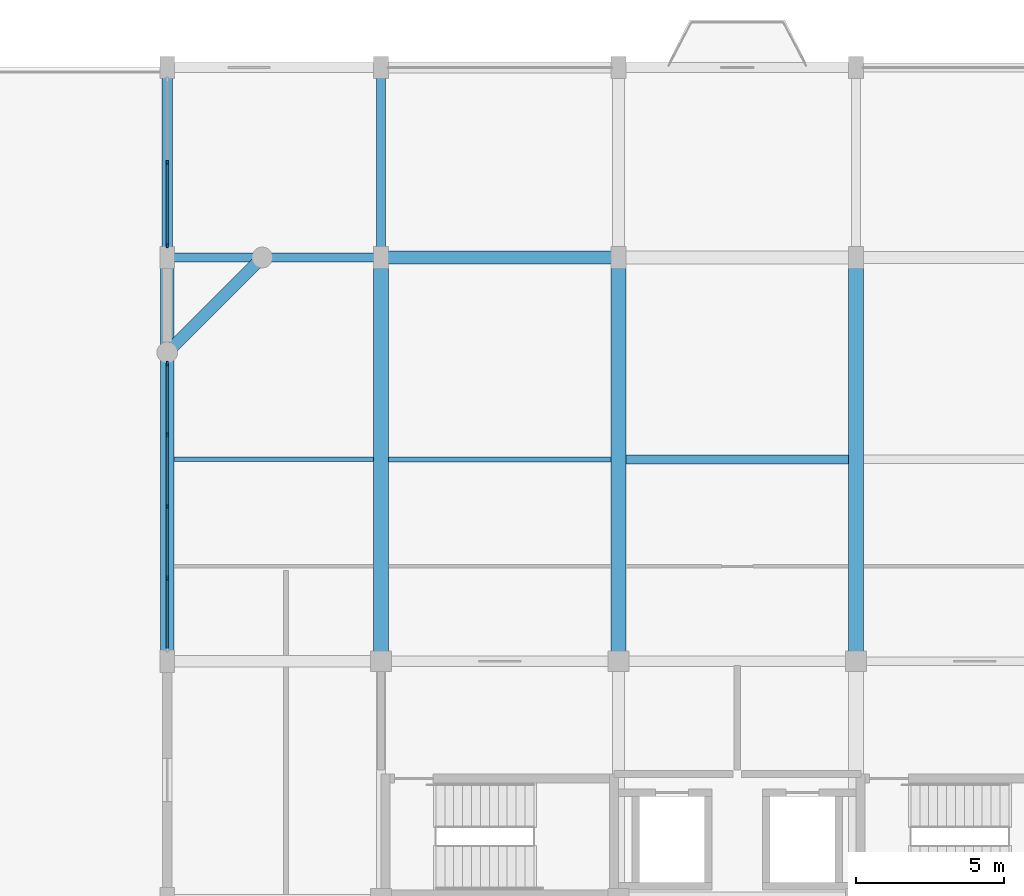
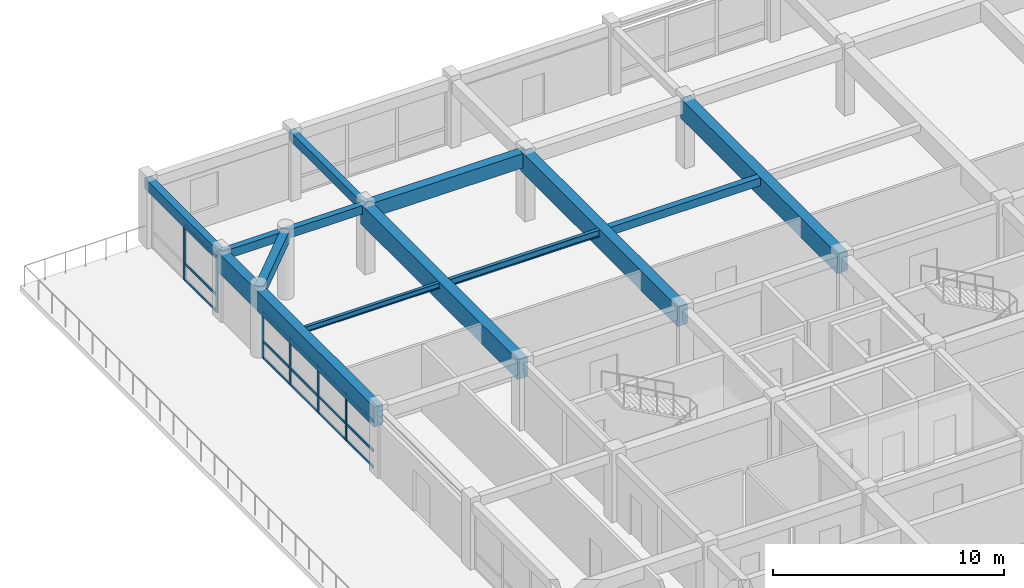
# One storey, part 5 of 13: 21 members, 12 beams, 2 elements without a shape of their own.
"""IFC4 building model written with IfcOpenShell, lengths in metres."""

from ifc_helpers import new_model, si_unit, direction, frame, origin, origin_2d, place, context, subcontext, project, spatial, rectangle, i_section, extrude, material, material_profile, profile_set, type_object, element, aggregate, save


model = new_model("IFC4")

# Units and contexts
model_context = context("Model", 3, precision=1e-05, world=origin(), true_north=direction((0.0, 1.0)))
body_context = subcontext(model_context, "Body", "Model", "MODEL_VIEW")
ifc_project = project(units=[si_unit("LENGTHUNIT", "METRE"), si_unit("AREAUNIT", "SQUARE_METRE"), si_unit("VOLUMEUNIT", "CUBIC_METRE"), si_unit("PLANEANGLEUNIT", "RADIAN"), si_unit("MASSUNIT", "GRAM", prefix="KILO")], contexts=[model_context])

# Site, building, storey
site_placement = place(None, origin())
site = spatial("IfcSite", under=ifc_project, at=site_placement, CompositionType="ELEMENT")
building_placement = place(site_placement, origin())
building = spatial("IfcBuilding", under=site, at=building_placement, Name="Vellmiral Cinema and Media Centre", CompositionType="ELEMENT")
storey_placement = place(building_placement, frame((0.0, 0.0, 39.5)))
storey = spatial("IfcBuildingStorey", under=building, at=storey_placement, Name="L09", CompositionType="ELEMENT", Elevation=39.5)

# Beams
ifc_material_1 = material(Name="Concrete C40/50", Category="concrete")
ifc_material_profile_1 = material_profile(ifc_material_1, rectangle(XDim=0.300048828125, YDim=0.449951171875, at=origin_2d()), Name="RC 300x450")
ifc_profile_set_1 = profile_set([ifc_material_profile_1], Name="Concrete C40/50")
beam_type_1 = type_object("IfcBeamType", Name="BM-RC-300x450", PredefinedType="BEAM", material=ifc_profile_set_1)
beam_1_placement = place(storey_placement, frame((116.800048828125, 108.800048828125, 3.31005859375), z_axis=(1.0, 0.0, 0.0), x_axis=(0.0, 1.0, 0.0)))
element("IfcBeam", 1, at=beam_1_placement, inside=storey, type_object=beam_type_1, Name="Grid Beam L09-X031", PredefinedType="BEAM", context=body_context, shape_type="SweptSolid", body=[
    extrude(rectangle(XDim=0.300048828125, YDim=0.449951171875, at=origin_2d()), origin(), (0.0, 0.0, 1.0), 7.199951171875),
])
ifc_material_2 = material(Name="Concrete C40/50", Category="concrete")
ifc_material_profile_2 = material_profile(ifc_material_2, rectangle(XDim=0.300048828125, YDim=0.5, at=origin_2d()), Name="RC 300x500")
ifc_profile_set_2 = profile_set([ifc_material_profile_2], Name="Concrete C40/50")
beam_type_2 = type_object("IfcBeamType", Name="BM-RC-300x500", PredefinedType="BEAM", material=ifc_profile_set_2)
beam_2_placement = place(storey_placement, frame((124.0, 108.800048828125, 3.284912109375), z_axis=(0.0, 1.0, 0.0), x_axis=(-1.0, 0.0, 0.0)))
element("IfcBeam", 2, at=beam_2_placement, inside=storey, type_object=beam_type_2, Name="Grid Beam L09-Y053", PredefinedType="BEAM", context=body_context, shape_type="SweptSolid", body=[
    extrude(rectangle(XDim=0.300048828125, YDim=0.5, at=origin_2d()), origin(), (0.0, 0.0, 1.0), 6.39990234375),
])
ifc_material_3 = material(Name="Concrete C40/50", Category="concrete")
ifc_material_profile_3 = material_profile(ifc_material_3, rectangle(XDim=0.449951171875, YDim=0.75, at=origin_2d()), Name="RC 450x750")
ifc_profile_set_3 = profile_set([ifc_material_profile_3], Name="Concrete C40/50")
beam_type_3 = type_object("IfcBeamType", Name="BM-RC-450x750", PredefinedType="BEAM", material=ifc_profile_set_3)
beam_3_placement = place(storey_placement, frame((124.0, 108.800048828125, 3.159912109375), z_axis=(1.0, 0.0, 0.0), x_axis=(0.0, 1.0, 0.0)))
element("IfcBeam", 3, at=beam_3_placement, inside=storey, type_object=beam_type_3, Name="Grid Beam L09-X032", PredefinedType="BEAM", context=body_context, shape_type="SweptSolid", body=[
    extrude(rectangle(XDim=0.449951171875, YDim=0.75, at=origin_2d()), origin(), (0.0, 0.0, 1.0), 8.0),
])
ifc_material_4 = material(Name="Concrete C40/50", Category="concrete")
ifc_material_profile_4 = material_profile(ifc_material_4, rectangle(XDim=0.5, YDim=1.050048828125, at=origin_2d()), Name="RC 500x1050")
ifc_profile_set_4 = profile_set([ifc_material_profile_4], Name="Concrete C40/50")
beam_type_4 = type_object("IfcBeamType", Name="BM-RCG-500x1050", PredefinedType="BEAM", material=ifc_profile_set_4)
for number, where, z_axis, x_axis, name in (
    (4, (124.0, 95.199951171875, 3.010009765625), (0.0, 1.0, 0.0), (-1.0, 0.0, 0.0), "Grid Beam L09-Y052"),
    (5, (132.0, 95.199951171875, 3.010009765625), (0.0, 1.0, 0.0), (-1.0, 0.0, 0.0), "Grid Beam L09-Y058"),
    (6, (140.0, 95.199951171875, 3.010009765625), (0.0, 1.0, 0.0), (-1.0, 0.0, 0.0), "Grid Beam L09-Y064"),
):
    element("IfcBeam", number, at=place(storey_placement, frame(where, z_axis=z_axis, x_axis=x_axis)), inside=storey, type_object=beam_type_4, Name=name, PredefinedType="BEAM", context=body_context, shape_type="SweptSolid", body=[
        extrude(rectangle(XDim=0.5, YDim=1.050048828125, at=origin_2d()), origin(), (0.0, 0.0, 1.0), 13.60009765625),
    ])

# Curtain wall, members
ifc_material_5 = material(Name="Thermally Broken Aluminium and Triple Glazing", Category="aluminium")
curtain_wall_type = type_object("IfcCurtainWallType", Name="CW-TOWER-MID-W", PredefinedType="USERDEFINED", material=ifc_material_5)
curtain_wall_1_placement = place(storey_placement, origin())
curtain_wall_1 = element("IfcCurtainWall", 7, at=curtain_wall_1_placement, inside=storey, type_object=curtain_wall_type, Name="Curtain Wall L09-B022", ObjectType="UNITISED CURTAIN WALL", PredefinedType="USERDEFINED")
ifc_material_6 = material(Name="Thermally Broken Anodised Aluminium", Category="aluminium")
ifc_material_profile_5 = material_profile(ifc_material_6, rectangle(XDim=0.06494140625, YDim=0.159912109375, at=origin_2d()), Name="MULL 65x160")
ifc_profile_set_5 = profile_set([ifc_material_profile_5], Name="Thermally Broken Anodised Aluminium")
member_type_1 = type_object("IfcMemberType", Name="CWM-65x160", PredefinedType="MULLION", material=ifc_profile_set_5)
member_1_placement = place(storey_placement, frame((116.800048828125, 112.0, 0.0), z_axis=(0.0, 0.0, 1.0), x_axis=(1.0, 0.0, 0.0)))
member_1 = element("IfcMember", 8, at=member_1_placement, type_object=member_type_1, Name="CW-08 mullion 2", PredefinedType="MULLION", context=body_context, shape_type="SweptSolid", body=[
    extrude(rectangle(XDim=0.06494140625, YDim=0.159912109375, at=origin_2d()), origin(), (0.0, 0.0, 1.0), 2.93994140625),
])
member_2_placement = place(storey_placement, frame((116.800048828125, 109.20751953125, 0.0), z_axis=(0.0, 0.0, 1.0), x_axis=(1.0, 0.0, 0.0)))
member_2 = element("IfcMember", 9, at=member_2_placement, type_object=member_type_1, Name="CW-08 mullion 3", PredefinedType="MULLION", context=body_context, shape_type="SweptSolid", body=[
    extrude(rectangle(XDim=0.06494140625, YDim=0.159912109375, at=origin_2d()), origin(), (0.0, 0.0, 1.0), 2.93994140625),
])

curtain_wall_2_placement = place(storey_placement, origin())
curtain_wall_2 = element("IfcCurtainWall", 10, at=curtain_wall_2_placement, inside=storey, type_object=curtain_wall_type, Name="Curtain Wall L09-B024", ObjectType="UNITISED CURTAIN WALL", PredefinedType="USERDEFINED")
member_3_placement = place(storey_placement, frame((116.800048828125, 105.217529296875, 0.0), z_axis=(0.0, 0.0, 1.0), x_axis=(1.0, 0.0, 0.0)))
member_3 = element("IfcMember", 11, at=member_3_placement, type_object=member_type_1, Name="CW-08 mullion 1", PredefinedType="MULLION", context=body_context, shape_type="SweptSolid", body=[
    extrude(rectangle(XDim=0.06494140625, YDim=0.159912109375, at=origin_2d()), origin(), (0.0, 0.0, 1.0), 2.47509765625),
])
member_4_placement = place(storey_placement, frame((116.800048828125, 102.831298828125, 0.0), z_axis=(0.0, 0.0, 1.0), x_axis=(1.0, 0.0, 0.0)))
member_4 = element("IfcMember", 12, at=member_4_placement, type_object=member_type_1, Name="CW-08 mullion 2", PredefinedType="MULLION", context=body_context, shape_type="SweptSolid", body=[
    extrude(rectangle(XDim=0.06494140625, YDim=0.159912109375, at=origin_2d()), origin(), (0.0, 0.0, 1.0), 2.47509765625),
])
member_5_placement = place(storey_placement, frame((116.800048828125, 100.41259765625, 0.0), z_axis=(0.0, 0.0, 1.0), x_axis=(1.0, 0.0, 0.0)))
member_5 = element("IfcMember", 13, at=member_5_placement, type_object=member_type_1, Name="CW-08 mullion 3", PredefinedType="MULLION", context=body_context, shape_type="SweptSolid", body=[
    extrude(rectangle(XDim=0.06494140625, YDim=0.159912109375, at=origin_2d()), origin(), (0.0, 0.0, 1.0), 2.47509765625),
])
member_6_placement = place(storey_placement, frame((116.800048828125, 97.99365234375, 0.0), z_axis=(0.0, 0.0, 1.0), x_axis=(1.0, 0.0, 0.0)))
member_6 = element("IfcMember", 14, at=member_6_placement, type_object=member_type_1, Name="CW-08 mullion 4", PredefinedType="MULLION", context=body_context, shape_type="SweptSolid", body=[
    extrude(rectangle(XDim=0.06494140625, YDim=0.159912109375, at=origin_2d()), origin(), (0.0, 0.0, 1.0), 2.47509765625),
])

# Member
ifc_material_7 = material(Name="Thermally Broken Anodised Aluminium", Category="aluminium")
ifc_material_profile_6 = material_profile(ifc_material_7, rectangle(XDim=0.06494140625, YDim=0.135009765625, at=origin_2d()), Name="MULL 65x135")
ifc_profile_set_6 = profile_set([ifc_material_profile_6], Name="Thermally Broken Anodised Aluminium")
member_type_2 = type_object("IfcMemberType", Name="CWT-65x135", PredefinedType="USERDEFINED", material=ifc_profile_set_6)
member_7_placement = place(storey_placement, frame((116.800048828125, 111.967529296875, 0.032470703125), z_axis=(0.0, -1.0, 0.0), x_axis=(1.0, 0.0, 0.0)))
member_7 = element("IfcMember", 15, at=member_7_placement, type_object=member_type_2, Name="CW-08 transom 2.1", ObjectType="TRANSOM", PredefinedType="USERDEFINED", context=body_context, shape_type="SweptSolid", body=[
    extrude(rectangle(XDim=0.06494140625, YDim=0.135009765625, at=origin_2d()), origin(), (0.0, 0.0, 1.0), 2.7275390625),
])

member_8_placement = place(storey_placement, frame((116.800048828125, 111.967529296875, 0.89990234375), z_axis=(0.0, -1.0, 0.0), x_axis=(1.0, 0.0, 0.0)))
member_8 = element("IfcMember", 16, at=member_8_placement, type_object=member_type_2, Name="CW-08 transom 2.2", ObjectType="TRANSOM", PredefinedType="USERDEFINED", context=body_context, shape_type="SweptSolid", body=[
    extrude(rectangle(XDim=0.06494140625, YDim=0.135009765625, at=origin_2d()), origin(), (0.0, 0.0, 1.0), 2.7275390625),
])

member_9_placement = place(storey_placement, frame((116.800048828125, 111.967529296875, 2.907470703125), z_axis=(0.0, -1.0, 0.0), x_axis=(1.0, 0.0, 0.0)))
member_9 = element("IfcMember", 17, at=member_9_placement, type_object=member_type_2, Name="CW-08 transom 2.3", ObjectType="TRANSOM", PredefinedType="USERDEFINED", context=body_context, shape_type="SweptSolid", body=[
    extrude(rectangle(XDim=0.06494140625, YDim=0.135009765625, at=origin_2d()), origin(), (0.0, 0.0, 1.0), 2.7275390625),
])

aggregate(curtain_wall_1, [member_1, member_2, member_7, member_8, member_9])

member_10_placement = place(storey_placement, frame((116.800048828125, 105.18505859375, 0.032470703125), z_axis=(0.0, -1.0, 0.0), x_axis=(1.0, 0.0, 0.0)))
member_10 = element("IfcMember", 18, at=member_10_placement, type_object=member_type_2, Name="CW-08 transom 1.1", ObjectType="TRANSOM", PredefinedType="USERDEFINED", context=body_context, shape_type="SweptSolid", body=[
    extrude(rectangle(XDim=0.06494140625, YDim=0.135009765625, at=origin_2d()), origin(), (0.0, 0.0, 1.0), 2.3212890625),
])

member_11_placement = place(storey_placement, frame((116.800048828125, 105.18505859375, 0.89990234375), z_axis=(0.0, -1.0, 0.0), x_axis=(1.0, 0.0, 0.0)))
member_11 = element("IfcMember", 19, at=member_11_placement, type_object=member_type_2, Name="CW-08 transom 1.2", ObjectType="TRANSOM", PredefinedType="USERDEFINED", context=body_context, shape_type="SweptSolid", body=[
    extrude(rectangle(XDim=0.06494140625, YDim=0.135009765625, at=origin_2d()), origin(), (0.0, 0.0, 1.0), 2.3212890625),
])

member_12_placement = place(storey_placement, frame((116.800048828125, 105.18505859375, 2.4423828125), z_axis=(0.0, -1.0, 0.0), x_axis=(1.0, 0.0, 0.0)))
member_12 = element("IfcMember", 20, at=member_12_placement, type_object=member_type_2, Name="CW-08 transom 1.3", ObjectType="TRANSOM", PredefinedType="USERDEFINED", context=body_context, shape_type="SweptSolid", body=[
    extrude(rectangle(XDim=0.06494140625, YDim=0.135009765625, at=origin_2d()), origin(), (0.0, 0.0, 1.0), 2.3212890625),
])

member_13_placement = place(storey_placement, frame((116.800048828125, 102.798828125, 0.032470703125), z_axis=(0.0, -1.0, 0.0), x_axis=(1.0, 0.0, 0.0)))
member_13 = element("IfcMember", 21, at=member_13_placement, type_object=member_type_2, Name="CW-08 transom 2.1", ObjectType="TRANSOM", PredefinedType="USERDEFINED", context=body_context, shape_type="SweptSolid", body=[
    extrude(rectangle(XDim=0.06494140625, YDim=0.135009765625, at=origin_2d()), origin(), (0.0, 0.0, 1.0), 2.353759765625),
])

member_14_placement = place(storey_placement, frame((116.800048828125, 102.798828125, 0.89990234375), z_axis=(0.0, -1.0, 0.0), x_axis=(1.0, 0.0, 0.0)))
member_14 = element("IfcMember", 22, at=member_14_placement, type_object=member_type_2, Name="CW-08 transom 2.2", ObjectType="TRANSOM", PredefinedType="USERDEFINED", context=body_context, shape_type="SweptSolid", body=[
    extrude(rectangle(XDim=0.06494140625, YDim=0.135009765625, at=origin_2d()), origin(), (0.0, 0.0, 1.0), 2.353759765625),
])

member_15_placement = place(storey_placement, frame((116.800048828125, 102.798828125, 2.4423828125), z_axis=(0.0, -1.0, 0.0), x_axis=(1.0, 0.0, 0.0)))
member_15 = element("IfcMember", 23, at=member_15_placement, type_object=member_type_2, Name="CW-08 transom 2.3", ObjectType="TRANSOM", PredefinedType="USERDEFINED", context=body_context, shape_type="SweptSolid", body=[
    extrude(rectangle(XDim=0.06494140625, YDim=0.135009765625, at=origin_2d()), origin(), (0.0, 0.0, 1.0), 2.353759765625),
])

member_16_placement = place(storey_placement, frame((116.800048828125, 100.3798828125, 0.032470703125), z_axis=(0.0, -1.0, 0.0), x_axis=(1.0, 0.0, 0.0)))
member_16 = element("IfcMember", 24, at=member_16_placement, type_object=member_type_2, Name="CW-08 transom 3.1", ObjectType="TRANSOM", PredefinedType="USERDEFINED", context=body_context, shape_type="SweptSolid", body=[
    extrude(rectangle(XDim=0.06494140625, YDim=0.135009765625, at=origin_2d()), origin(), (0.0, 0.0, 1.0), 2.353515625),
])

member_17_placement = place(storey_placement, frame((116.800048828125, 100.3798828125, 0.89990234375), z_axis=(0.0, -1.0, 0.0), x_axis=(1.0, 0.0, 0.0)))
member_17 = element("IfcMember", 25, at=member_17_placement, type_object=member_type_2, Name="CW-08 transom 3.2", ObjectType="TRANSOM", PredefinedType="USERDEFINED", context=body_context, shape_type="SweptSolid", body=[
    extrude(rectangle(XDim=0.06494140625, YDim=0.135009765625, at=origin_2d()), origin(), (0.0, 0.0, 1.0), 2.353515625),
])

member_18_placement = place(storey_placement, frame((116.800048828125, 100.3798828125, 2.4423828125), z_axis=(0.0, -1.0, 0.0), x_axis=(1.0, 0.0, 0.0)))
member_18 = element("IfcMember", 26, at=member_18_placement, type_object=member_type_2, Name="CW-08 transom 3.3", ObjectType="TRANSOM", PredefinedType="USERDEFINED", context=body_context, shape_type="SweptSolid", body=[
    extrude(rectangle(XDim=0.06494140625, YDim=0.135009765625, at=origin_2d()), origin(), (0.0, 0.0, 1.0), 2.353515625),
])

member_19_placement = place(storey_placement, frame((116.800048828125, 97.961181640625, 0.032470703125), z_axis=(0.0, -1.0, 0.0), x_axis=(1.0, 0.0, 0.0)))
member_19 = element("IfcMember", 27, at=member_19_placement, type_object=member_type_2, Name="CW-08 transom 4.1", ObjectType="TRANSOM", PredefinedType="USERDEFINED", context=body_context, shape_type="SweptSolid", body=[
    extrude(rectangle(XDim=0.06494140625, YDim=0.135009765625, at=origin_2d()), origin(), (0.0, 0.0, 1.0), 2.3212890625),
])

member_20_placement = place(storey_placement, frame((116.800048828125, 97.961181640625, 0.89990234375), z_axis=(0.0, -1.0, 0.0), x_axis=(1.0, 0.0, 0.0)))
member_20 = element("IfcMember", 28, at=member_20_placement, type_object=member_type_2, Name="CW-08 transom 4.2", ObjectType="TRANSOM", PredefinedType="USERDEFINED", context=body_context, shape_type="SweptSolid", body=[
    extrude(rectangle(XDim=0.06494140625, YDim=0.135009765625, at=origin_2d()), origin(), (0.0, 0.0, 1.0), 2.3212890625),
])

member_21_placement = place(storey_placement, frame((116.800048828125, 97.961181640625, 2.4423828125), z_axis=(0.0, -1.0, 0.0), x_axis=(1.0, 0.0, 0.0)))
member_21 = element("IfcMember", 29, at=member_21_placement, type_object=member_type_2, Name="CW-08 transom 4.3", ObjectType="TRANSOM", PredefinedType="USERDEFINED", context=body_context, shape_type="SweptSolid", body=[
    extrude(rectangle(XDim=0.06494140625, YDim=0.135009765625, at=origin_2d()), origin(), (0.0, 0.0, 1.0), 2.3212890625),
])

aggregate(curtain_wall_2, [member_3, member_4, member_5, member_6, member_10, member_11, member_12, member_13, member_14, member_15, member_16, member_17, member_18, member_19, member_20, member_21])

# Beams
ifc_material_8 = material(Name="Concrete C40/50", Category="concrete")
ifc_material_profile_7 = material_profile(ifc_material_8, rectangle(XDim=0.300048828125, YDim=0.419921875, at=origin_2d()), Name="RC 300x420")
ifc_profile_set_7 = profile_set([ifc_material_profile_7], Name="Concrete C40/50")
beam_type_5 = type_object("IfcBeamType", Name="JST-RC-300x420", PredefinedType="JOIST", material=ifc_profile_set_7)
beam_4_placement = place(storey_placement, frame((132.25, 102.0, 3.324951171875), z_axis=(1.0, 0.0, 0.0), x_axis=(0.0, 1.0, 0.0)))
element("IfcBeam", 30, at=beam_4_placement, inside=storey, type_object=beam_type_5, Name="Secondary Floor Joist L09-003", PredefinedType="JOIST", context=body_context, shape_type="SweptSolid", body=[
    extrude(rectangle(XDim=0.300048828125, YDim=0.419921875, at=origin_2d()), origin(), (0.0, 0.0, 1.0), 7.5),
])
ifc_material_9 = material(Name="Steel S355", Category="steel")
ifc_material_profile_8 = material_profile(ifc_material_9, i_section(OverallWidth=0.14990234375, OverallDepth=0.300048828125, WebThickness=0.007080078125, FlangeThickness=0.0107421875, FilletRadius=0.014892578125, at=origin_2d()), Name="IPE 300")
ifc_profile_set_8 = profile_set([ifc_material_profile_8], Name="Steel S355")
beam_type_6 = type_object("IfcBeamType", Name="SBM-IPE300", PredefinedType="JOIST", material=ifc_profile_set_8)
beam_5_placement = place(storey_placement, frame((117.02490234375, 102.0, 3.385009765625), z_axis=(1.0, 0.0, 0.0), x_axis=(0.0, 1.0, 0.0)))
element("IfcBeam", 31, at=beam_5_placement, inside=storey, type_object=beam_type_6, Name="Secondary Floor Joist L09-001", PredefinedType="JOIST", context=body_context, shape_type="SweptSolid", body=[
    extrude(i_section(OverallWidth=0.14990234375, OverallDepth=0.300048828125, WebThickness=0.007080078125, FlangeThickness=0.0107421875, FilletRadius=0.014892578125, at=origin_2d()), origin(), (0.0, 0.0, 1.0), 6.72509765625),
])
ifc_material_10 = material(Name="Steel S355", Category="steel")
ifc_material_profile_9 = material_profile(ifc_material_10, i_section(OverallWidth=0.169921875, OverallDepth=0.360107421875, WebThickness=0.008056640625, FlangeThickness=0.0126953125, FilletRadius=0.01806640625, at=origin_2d()), Name="IPE 360")
ifc_profile_set_9 = profile_set([ifc_material_profile_9], Name="Steel S355")
beam_type_7 = type_object("IfcBeamType", Name="SBM-IPE360", PredefinedType="JOIST", material=ifc_profile_set_9)
beam_6_placement = place(storey_placement, frame((124.25, 102.0, 3.35498046875), z_axis=(1.0, 0.0, 0.0), x_axis=(0.0, 1.0, 0.0)))
element("IfcBeam", 32, at=beam_6_placement, inside=storey, type_object=beam_type_7, Name="Secondary Floor Joist L09-002", PredefinedType="JOIST", context=body_context, shape_type="SweptSolid", body=[
    extrude(i_section(OverallWidth=0.169921875, OverallDepth=0.360107421875, WebThickness=0.008056640625, FlangeThickness=0.0126953125, FilletRadius=0.01806640625, at=origin_2d()), origin(), (0.0, 0.0, 1.0), 7.5),
])
ifc_material_11 = material(Name="Concrete C40/50", Category="concrete")
ifc_material_profile_10 = material_profile(ifc_material_11, rectangle(XDim=0.35009765625, YDim=0.56005859375, at=origin_2d()), Name="RC 350x560")
ifc_profile_set_10 = profile_set([ifc_material_profile_10], Name="Concrete C40/50")
beam_type_8 = type_object("IfcBeamType", Name="SPD-RC-350x560", PredefinedType="SPANDREL", material=ifc_profile_set_10)
beam_7_placement = place(storey_placement, frame((116.800048828125, 108.800048828125, 3.2548828125), z_axis=(0.0, 1.0, 0.0), x_axis=(-1.0, 0.0, 0.0)))
element("IfcBeam", 33, at=beam_7_placement, inside=storey, type_object=beam_type_8, Name="Grid Beam L09-Y047", PredefinedType="SPANDREL", context=body_context, shape_type="SweptSolid", body=[
    extrude(rectangle(XDim=0.35009765625, YDim=0.56005859375, at=origin_2d()), origin(), (0.0, 0.0, 1.0), 6.39990234375),
])
ifc_material_12 = material(Name="Concrete C40/50", Category="concrete")
ifc_material_profile_11 = material_profile(ifc_material_12, rectangle(XDim=0.39990234375, YDim=0.60009765625, at=origin_2d()), Name="RC 400x600")
ifc_profile_set_11 = profile_set([ifc_material_profile_11], Name="Concrete C40/50")
beam_type_9 = type_object("IfcBeamType", Name="SPD-RC-400x600", PredefinedType="SPANDREL", material=ifc_profile_set_11)
beam_8_placement = place(storey_placement, frame((116.800048828125, 105.60009765625, 3.235107421875), z_axis=(0.707106781187, 0.707106781187, 0.0), x_axis=(-0.707106781187, 0.707106781187, 0.0)))
element("IfcBeam", 34, at=beam_8_placement, inside=storey, type_object=beam_type_9, Name="Xamfra Chamfer Spandrel Beam L09-084", PredefinedType="SPANDREL", context=body_context, shape_type="SweptSolid", body=[
    extrude(rectangle(XDim=0.39990234375, YDim=0.60009765625, at=origin_2d()), origin(), (0.0, 0.0, 1.0), 4.525390625),
])
ifc_material_13 = material(Name="Concrete C40/50", Category="concrete")
ifc_material_profile_12 = material_profile(ifc_material_13, rectangle(XDim=0.449951171875, YDim=1.050048828125, at=origin_2d()), Name="RC 450x1050")
ifc_profile_set_12 = profile_set([ifc_material_profile_12], Name="Concrete C40/50")
beam_type_10 = type_object("IfcBeamType", Name="SPD-RCG-450x1050", PredefinedType="SPANDREL", material=ifc_profile_set_12)
beam_9_placement = place(storey_placement, frame((116.800048828125, 95.199951171875, 3.010009765625), z_axis=(0.0, 1.0, 0.0), x_axis=(-1.0, 0.0, 0.0)))
element("IfcBeam", 35, at=beam_9_placement, inside=storey, type_object=beam_type_10, Name="Grid Beam L09-Y046", PredefinedType="SPANDREL", context=body_context, shape_type="SweptSolid", body=[
    extrude(rectangle(XDim=0.449951171875, YDim=1.050048828125, at=origin_2d()), origin(), (0.0, 0.0, 1.0), 13.60009765625),
])

save(model, "model.ifc")
